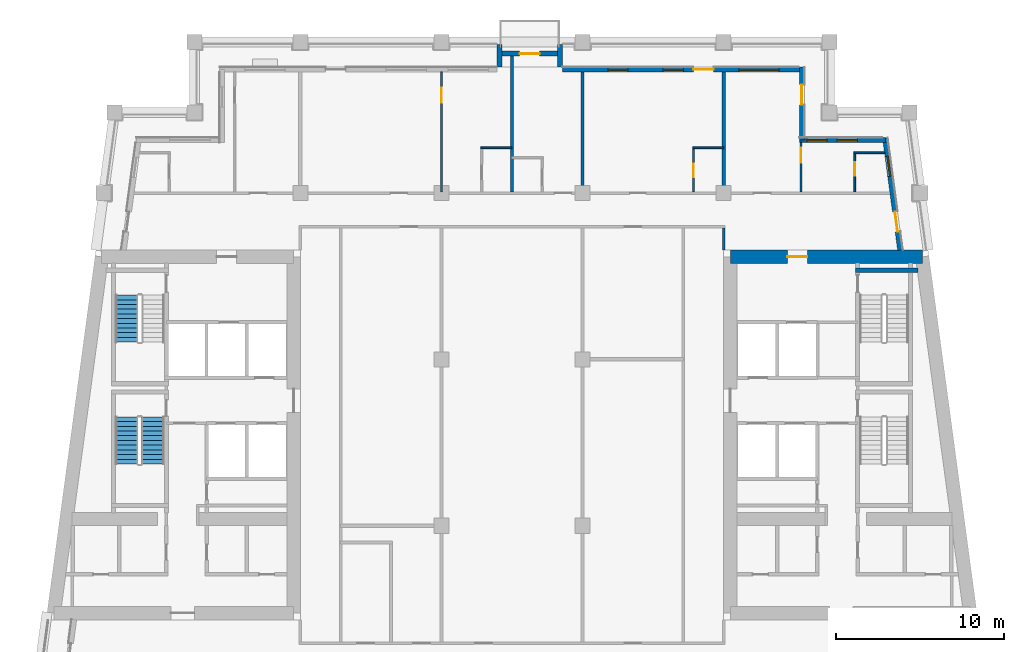
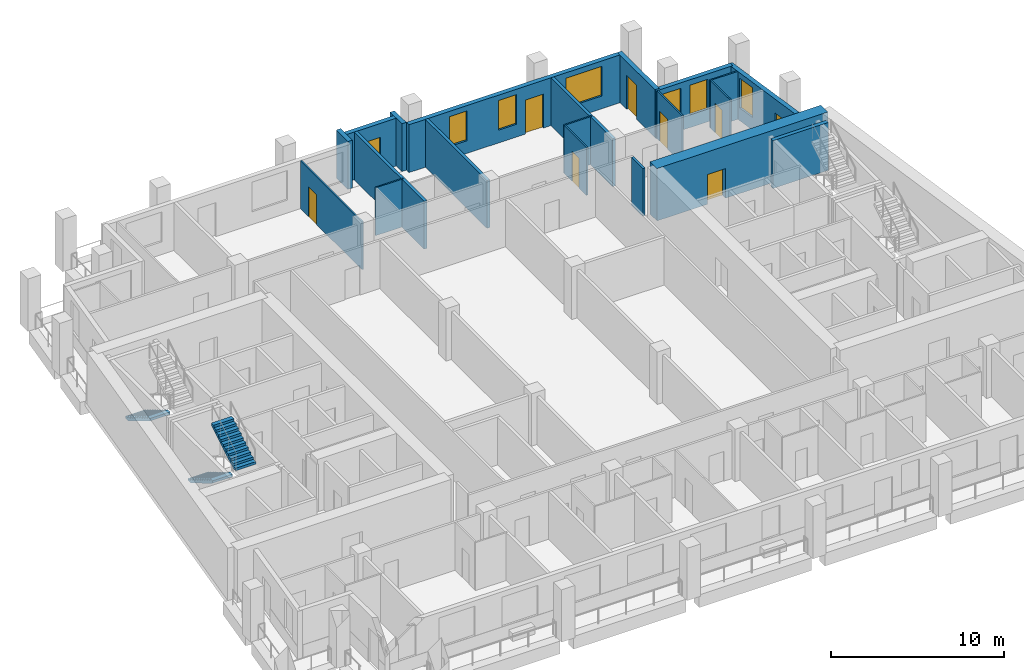
# One storey, part 7 of 13: 20 walls, 9 doors, 6 windows, 3 stair flights, 15 openings, 2 elements without a shape of their own.
"""IFC4 building model written with IfcOpenShell, lengths in metres."""

import ifcopenshell
import ifcopenshell.guid

model = None  # the IFC model being written
_history = None  # IfcOwnerHistory: only IFC2X3 demands one
_inside = {}  # id of a spatial element -> (the spatial element, [elements in it])
_under = {}  # id of a project, library or spatial element -> (it, [spatial elements below it])
_declared = {}  # id of a project -> (the project, [libraries it declares])
_typed = {}  # id of a type object -> (the type object, [elements of that type])
_made_of = {}  # id of a material, layer set ... -> (it, [elements and type objects made of it])


def new_model(schema):
    """Start an empty IFC model of exactly this schema.

    Asked for "IFC4X3", IfcOpenShell would pick the latest addendum, in which some entities
    have other attributes; the version numbers below select the first issue.
    IFC2X3 requires an IfcOwnerHistory on every rooted entity: one is made here for all.
    """
    global model, _history
    if schema == "IFC4X3":
        model = ifcopenshell.file(schema_version=(4, 3, 0, 0))
    else:
        model = ifcopenshell.file(schema=schema)
    _inside.clear()
    _under.clear()
    _declared.clear()
    _typed.clear()
    _made_of.clear()
    _history = None
    if model.schema == "IFC2X3":
        org = make("IfcOrganization", Name="unknown")
        user = make(
            "IfcPersonAndOrganization",
            ThePerson=make("IfcPerson", FamilyName="unknown"),
            TheOrganization=org,
        )
        app = make(
            "IfcApplication",
            ApplicationDeveloper=org,
            Version="unknown",
            ApplicationFullName="unknown",
            ApplicationIdentifier="unknown",
        )
        _history = make(
            "IfcOwnerHistory",
            OwningUser=user,
            OwningApplication=app,
            ChangeAction="ADDED",
            CreationDate=0,
        )
    return model


def make(cls, **values):
    """One entity of the class cls with the attributes given. An attribute that is None is left unset."""
    return model.create_entity(
        cls, **{name: value for name, value in values.items() if value is not None}
    )


def rooted(cls, **values):
    """An entity with a GlobalId (a new one), such as an element, a storey or a relation."""
    return make(cls, GlobalId=ifcopenshell.guid.new(), OwnerHistory=_history, **values)


def si_unit(unit_type, name, prefix=None):
    """IfcSIUnit, for example si_unit("LENGTHUNIT", "METRE", prefix="MILLI")."""
    return make("IfcSIUnit", UnitType=unit_type, Prefix=prefix, Name=name)


def assignment(units):
    """IfcUnitAssignment: the units of a project."""
    return None if units is None else make("IfcUnitAssignment", Units=units)


def point(xyz):
    """IfcCartesianPoint."""
    return None if xyz is None else make("IfcCartesianPoint", Coordinates=xyz)


def direction(xyz):
    """IfcDirection."""
    return None if xyz is None else make("IfcDirection", DirectionRatios=xyz)


def frame(location, z_axis=None, x_axis=None):
    """IfcAxis2Placement3D, a coordinate frame: its origin and axes. An axis left out is left unset."""
    return make(
        "IfcAxis2Placement3D",
        Location=point(location),
        Axis=direction(z_axis),
        RefDirection=direction(x_axis),
    )


def frame_2d(location, x_axis=None):
    """IfcAxis2Placement2D, a coordinate frame in the plane: its origin and x axis."""
    return make(
        "IfcAxis2Placement2D", Location=point(location), RefDirection=direction(x_axis)
    )


def origin():
    """The frame at (0, 0, 0) with its axes left unset."""
    return frame((0.0, 0.0, 0.0))


def place(relative_to, where):
    """IfcLocalPlacement: puts the frame where relative to a parent placement (None: the world)."""
    return make(
        "IfcLocalPlacement", PlacementRelTo=relative_to, RelativePlacement=where
    )


def context(
    kind, dimensions, precision=None, world=None, true_north=None, identifier=None
):
    """IfcGeometricRepresentationContext, for example the 3D "Model" context."""
    return make(
        "IfcGeometricRepresentationContext",
        ContextIdentifier=identifier,
        ContextType=kind,
        CoordinateSpaceDimension=dimensions,
        Precision=precision,
        WorldCoordinateSystem=world,
        TrueNorth=true_north,
    )


def subcontext(parent, identifier, kind, view, scale=None):
    """IfcGeometricRepresentationSubContext, for example "Body" below "Model"."""
    return make(
        "IfcGeometricRepresentationSubContext",
        ContextIdentifier=identifier,
        ContextType=kind,
        ParentContext=parent,
        TargetScale=scale,
        TargetView=view,
    )


def project(units=None, contexts=None):
    """IfcProject with its units and contexts."""
    return rooted(
        "IfcProject",
        Name="project",
        RepresentationContexts=contexts,
        UnitsInContext=assignment(units),
    )


def spatial(cls, under=None, at=None, **own):
    """A site, building, storey or space (cls), placed at a placement, below another one or the project."""
    s = rooted(cls, ObjectPlacement=at, **own)
    if under is not None:
        _under.setdefault(under.id(), (under, []))[1].append(s)
    return s


def polyline(points):
    """IfcPolyline through the points."""
    return make("IfcPolyline", Points=[point(p) for p in points])


def profile(cls, at=None, kind="AREA", **sizes):
    """A parametric profile (cls). Its sizes go by their IFC names, for example OverallWidth=200.0."""
    return make(cls, ProfileType=kind, Position=at, **sizes)


def rectangle(**sizes):
    """IfcRectangleProfileDef."""
    return profile("IfcRectangleProfileDef", **sizes)


def outline(outer, holes=None, kind="AREA"):
    """IfcArbitraryClosedProfileDef: a profile drawn as a closed curve; with holes, ...WithVoids."""
    if holes is None:
        return make("IfcArbitraryClosedProfileDef", ProfileType=kind, OuterCurve=outer)
    return make(
        "IfcArbitraryProfileDefWithVoids",
        ProfileType=kind,
        OuterCurve=outer,
        InnerCurves=holes,
    )


def extrude(swept, where, along, depth):
    """IfcExtrudedAreaSolid: the profile swept, set in the frame where, extruded along a direction by depth."""
    return make(
        "IfcExtrudedAreaSolid",
        SweptArea=swept,
        Position=where,
        ExtrudedDirection=direction(along),
        Depth=depth,
    )


def shape(context_of_items, identifier, shape_type, items):
    """IfcShapeRepresentation: the items that make up one representation, for example the "Body"."""
    return make(
        "IfcShapeRepresentation",
        ContextOfItems=context_of_items,
        RepresentationIdentifier=identifier,
        RepresentationType=shape_type,
        Items=items,
    )


def material(Name=None, Category=None):
    """IfcMaterial."""
    return make("IfcMaterial", Name=Name, Category=Category)


def layer(
    of_material, thickness, ventilated=None, Name=None, Category=None, Priority=None
):
    """IfcMaterialLayer: one layer of a wall or slab, of a material (None: an air gap)."""
    return make(
        "IfcMaterialLayer",
        Material=of_material,
        LayerThickness=thickness,
        IsVentilated=ventilated,
        Name=Name,
        Category=Category,
        Priority=Priority,
    )


def layer_set(layers, Name=None):
    """IfcMaterialLayerSet."""
    return make("IfcMaterialLayerSet", MaterialLayers=layers, LayerSetName=Name)


def made_of(thing, what):
    """Note that an element or type object is made of a material, layer set ...; save() writes the relation."""
    if what is not None:
        _made_of.setdefault(what.id(), (what, []))[1].append(thing)
    return thing


def type_object(cls, material=None, **own):
    """A type object (cls), such as IfcWallType, which elements share."""
    return made_of(rooted(cls, **own), material)


def element(
    cls,
    number,
    at=None,
    inside=None,
    cuts=None,
    type_object=None,
    material=None,
    context=None,
    identifier="Body",
    shape_type=None,
    held_by="IfcProductDefinitionShape",
    body=None,
    shapes=None,
    **own,
):
    """One element of the class cls, such as IfcWall. Its Tag is "e" and its number.

    at: its placement. inside: the storey or other place that contains it. cuts: it is an
    opening in that element (IfcRelVoidsElement). A single representation is given by context,
    identifier, shape_type and body (its items); several are given by shapes. held_by: the class
    of the entity that holds the representations. save() writes the other relations.
    """
    e = rooted(cls, Tag="e%d" % number, ObjectPlacement=at, **own)
    if body is not None:
        shapes = [shape(context, identifier, shape_type, body)]
    if shapes is not None:
        e.Representation = make(held_by, Representations=shapes)
    if inside is not None:
        _inside.setdefault(inside.id(), (inside, []))[1].append(e)
    if cuts is not None:
        rooted(
            "IfcRelVoidsElement", RelatingBuildingElement=cuts, RelatedOpeningElement=e
        )
    if type_object is not None:
        _typed.setdefault(type_object.id(), (type_object, []))[1].append(e)
    return made_of(e, material)


def fill(opening, filler):
    """IfcRelFillsElement: the door or window that sits in an opening."""
    return rooted(
        "IfcRelFillsElement",
        RelatingOpeningElement=opening,
        RelatedBuildingElement=filler,
    )


def aggregate(whole, parts):
    """IfcRelAggregates: a whole, such as a stair, and the parts it consists of."""
    return rooted("IfcRelAggregates", RelatingObject=whole, RelatedObjects=parts)


def save(model, path):
    """Write the relations noted so far, then the file.

    IfcRelAggregates (storeys below a building ...), IfcRelContainedInSpatialStructure (elements
    in a storey), IfcRelDefinesByType, IfcRelAssociatesMaterial and IfcRelDeclares: one each for
    every whole, place, type object, material and project.
    """
    for whole, parts in _under.values():
        aggregate(whole, parts)
    for where, things in _inside.values():
        rooted(
            "IfcRelContainedInSpatialStructure",
            RelatedElements=things,
            RelatingStructure=where,
        )
    for kind, things in _typed.values():
        rooted("IfcRelDefinesByType", RelatedObjects=things, RelatingType=kind)
    for what, things in _made_of.values():
        rooted("IfcRelAssociatesMaterial", RelatedObjects=things, RelatingMaterial=what)
    for by, libraries in _declared.values():
        rooted("IfcRelDeclares", RelatingContext=by, RelatedDefinitions=libraries)
    model.write(path)


model = new_model("IFC4")

# Units and contexts
model_context = context("Model", 3, precision=1e-05, world=origin(), true_north=direction((0.0, 1.0)))
body_context = subcontext(model_context, "Body", "Model", "MODEL_VIEW")
ifc_project = project(units=[si_unit("LENGTHUNIT", "METRE"), si_unit("AREAUNIT", "SQUARE_METRE"), si_unit("VOLUMEUNIT", "CUBIC_METRE"), si_unit("PLANEANGLEUNIT", "RADIAN"), si_unit("MASSUNIT", "GRAM", prefix="KILO")], contexts=[model_context])

# Site, building, storey
site_placement = place(None, origin())
site = spatial("IfcSite", under=ifc_project, at=site_placement, CompositionType="ELEMENT")
building_placement = place(site_placement, origin())
building = spatial("IfcBuilding", under=site, at=building_placement, Name="Candeia Pilgrim Tower and Theatre", CompositionType="ELEMENT")
storey_placement = place(building_placement, frame((0.0, 0.0, 220.699951171875)))
storey = spatial("IfcBuildingStorey", under=building, at=storey_placement, Name="L53", CompositionType="ELEMENT", Elevation=220.699951171875)

# Wall, opening, door
ifc_material_1 = material(Name="Concrete C50/60", Category="concrete")
ifc_layer_1 = layer(ifc_material_1, 0.800048828125)
ifc_layer_set_1 = layer_set([ifc_layer_1], Name="Core wall 800 C50/60")
wall_type_1 = type_object("IfcWallType", Name="Core wall 800 C50/60", PredefinedType="SHEAR", material=ifc_layer_set_1)
wall_1_placement = place(storey_placement, frame((126.39990234375, 132.0, 0.0), z_axis=(0.0, 0.0, 1.0), x_axis=(1.0, 0.0, 0.0)))
wall_1 = element("IfcWall", 1, at=wall_1_placement, inside=storey, type_object=wall_type_1, Name="Core wall E1", PredefinedType="SHEAR", context=body_context, shape_type="SweptSolid", body=[
    extrude(rectangle(XDim=11.419677734375, YDim=0.800048828125, at=frame_2d((5.7099609375, 0.0))), origin(), (0.0, 0.0, 1.0), 3.699951171875),
])
opening_1_placement = place(wall_1_placement, frame((3.386474609375, 0.0, 0.0)))
opening_1 = element("IfcOpeningElement", 2, at=opening_1_placement, cuts=wall_1, Name="Opening L53-D060", PredefinedType="OPENING", context=body_context, shape_type="SweptSolid", body=[
    extrude(rectangle(XDim=1.199951171875, YDim=2.10009765625, at=frame_2d((0.60009765625, 1.050048828125))), frame((0.0, 0.41015625, 0.0), z_axis=(0.0, -1.0, 0.0), x_axis=(1.0, 0.0, 0.0)), (0.0, 0.0, 1.0), 0.820068359375),
])
ifc_material_2 = material(Name="Steel fire door set", Category="steel")
door_type_1 = type_object("IfcDoorType", Name="D-1200-FD60", OperationType="NOTDEFINED", PredefinedType="DOOR", material=ifc_material_2)
door_1_placement = place(opening_1_placement, origin())
door_1 = element("IfcDoor", 3, at=door_1_placement, inside=storey, type_object=door_type_1, Name="Door L53-D060", OperationType="SINGLE_SWING_LEFT", OverallHeight=2.10009765625, OverallWidth=1.199951171875, PredefinedType="DOOR", context=body_context, shape_type="SweptSolid", body=[
    extrude(rectangle(XDim=1.199951171875, YDim=2.10009765625, at=frame_2d((0.60009765625, 1.050048828125))), frame((0.0, 0.02490234375, 0.0), z_axis=(0.0, -1.0, 0.0), x_axis=(1.0, 0.0, 0.0)), (0.0, 0.0, 1.0), 0.050048828125),
])
fill(opening_1, door_1)

# Wall, openings, door, window
ifc_material_3 = material(Name="Ceramic block masonry", Category="masonry")
ifc_layer_2 = layer(ifc_material_3, 0.300048828125)
ifc_layer_set_2 = layer_set([ifc_layer_2], Name="EW1 glazing-line wall 300")
wall_type_2 = type_object("IfcWallType", Name="EW1 glazing-line wall 300", PredefinedType="SOLIDWALL", material=ifc_layer_set_2)
wall_2_placement = place(storey_placement, frame((136.50439453125, 132.39990234375, 0.0), z_axis=(0.0, 0.0, 1.0), x_axis=(-0.133399697462, 0.99106231929, 0.0)))
wall_2 = element("IfcWall", 4, at=wall_2_placement, inside=storey, type_object=wall_type_2, Name="External wall L53-3.1", PredefinedType="SOLIDWALL", context=body_context, shape_type="SweptSolid", body=[
    extrude(rectangle(XDim=6.740478515625, YDim=0.300048828125, at=frame_2d((3.3701171875, 0.0))), origin(), (0.0, 0.0, 1.0), 3.380126953125),
])
opening_2_placement = place(wall_2_placement, frame((1.115234375, 0.0, 0.0)))
opening_2 = element("IfcOpeningElement", 5, at=opening_2_placement, cuts=wall_2, Name="Opening L53-ED507", PredefinedType="OPENING", context=body_context, shape_type="SweptSolid", body=[
    extrude(rectangle(XDim=1.199951171875, YDim=2.39990234375, at=frame_2d((0.60009765625, 1.199951171875))), frame((0.0, 0.16015625, 0.0), z_axis=(0.0, -1.0, 0.0), x_axis=(1.0, 0.0, 0.0)), (0.0, 0.0, 1.0), 0.320068359375),
])
opening_3_placement = place(wall_2_placement, frame((4.435546875, 0.0, 0.89990234375)))
opening_3 = element("IfcOpeningElement", 6, at=opening_3_placement, cuts=wall_2, Name="Opening W-B", PredefinedType="OPENING", context=body_context, shape_type="SweptSolid", body=[
    extrude(rectangle(XDim=1.199951171875, YDim=2.10009765625, at=frame_2d((0.60009765625, 1.050048828125))), frame((0.0, 0.16015625, 0.0), z_axis=(0.0, -1.0, 0.0), x_axis=(1.0, 0.0, 0.0)), (0.0, 0.0, 1.0), 0.320068359375),
])
ifc_material_4 = material(Name="Aluminium framed glazed door", Category="aluminium")
door_type_2 = type_object("IfcDoorType", Name="Loggia door 1200x2400", OperationType="DOUBLE_DOOR_SINGLE_SWING", PredefinedType="DOOR", material=ifc_material_4)
door_2_placement = place(opening_2_placement, origin())
door_2 = element("IfcDoor", 7, at=door_2_placement, inside=storey, type_object=door_type_2, Name="Loggia door L53-ED507", OperationType="DOUBLE_DOOR_SINGLE_SWING", OverallHeight=2.39990234375, OverallWidth=1.199951171875, PredefinedType="DOOR", context=body_context, shape_type="SweptSolid", body=[
    extrude(rectangle(XDim=1.199951171875, YDim=2.39990234375, at=frame_2d((0.60009765625, 1.199951171875))), frame((0.0, 0.02490234375, 0.0), z_axis=(0.0, -1.0, 0.0), x_axis=(1.0, 0.0, 0.0)), (0.0, 0.0, 1.0), 0.050048828125),
])
fill(opening_2, door_2)
ifc_material_5 = material(Name="Aluminium framed double glazing", Category="aluminium")
window_type_1 = type_object("IfcWindowType", Name="W-B window 1200x2100", PartitioningType="SINGLE_PANEL", PredefinedType="WINDOW", material=ifc_material_5)
window_1_placement = place(opening_3_placement, origin())
window_1 = element("IfcWindow", 8, at=window_1_placement, inside=storey, type_object=window_type_1, Name="Window W-B L53", OverallHeight=2.10009765625, OverallWidth=1.199951171875, PartitioningType="SINGLE_PANEL", PredefinedType="WINDOW", context=body_context, shape_type="SweptSolid", body=[
    extrude(rectangle(XDim=1.199951171875, YDim=2.10009765625, at=frame_2d((0.60009765625, 1.050048828125))), frame((0.0, 0.030029296875, 0.0), z_axis=(0.0, -1.0, 0.0), x_axis=(1.0, 0.0, 0.0)), (0.0, 0.0, 1.0), 0.06005859375),
])
fill(opening_3, window_1)

# Wall, openings, windows
wall_3_placement = place(storey_placement, frame((135.62255859375, 138.949951171875, 0.0), z_axis=(0.0, 0.0, 1.0), x_axis=(-1.0, 0.0, 0.0)))
wall_3 = element("IfcWall", 9, at=wall_3_placement, inside=storey, type_object=wall_type_2, Name="External wall L53-4.0", PredefinedType="SOLIDWALL", context=body_context, shape_type="SweptSolid", body=[
    extrude(rectangle(XDim=5.12255859375, YDim=0.300048828125, at=frame_2d((2.561279296875, 0.0))), origin(), (0.0, 0.0, 1.0), 3.380126953125),
])
opening_4_placement = place(wall_3_placement, frame((1.672607421875, 0.0, 0.89990234375)))
opening_4 = element("IfcOpeningElement", 10, at=opening_4_placement, cuts=wall_3, Name="Opening W-B", PredefinedType="OPENING", context=body_context, shape_type="SweptSolid", body=[
    extrude(rectangle(XDim=1.199951171875, YDim=2.10009765625, at=frame_2d((0.60009765625, 1.050048828125))), frame((0.0, 0.16015625, 0.0), z_axis=(0.0, -1.0, 0.0), x_axis=(1.0, 0.0, 0.0)), (0.0, 0.0, 1.0), 0.320068359375),
])
opening_5_placement = place(wall_3_placement, frame((3.47265625, 0.0, 0.89990234375)))
opening_5 = element("IfcOpeningElement", 11, at=opening_5_placement, cuts=wall_3, Name="Opening W-B", PredefinedType="OPENING", context=body_context, shape_type="SweptSolid", body=[
    extrude(rectangle(XDim=1.199951171875, YDim=2.10009765625, at=frame_2d((0.60009765625, 1.050048828125))), frame((0.0, 0.16015625, 0.0), z_axis=(0.0, -1.0, 0.0), x_axis=(1.0, 0.0, 0.0)), (0.0, 0.0, 1.0), 0.320068359375),
])
window_2_placement = place(opening_4_placement, origin())
window_2 = element("IfcWindow", 12, at=window_2_placement, inside=storey, type_object=window_type_1, Name="Window W-B L53", OverallHeight=2.10009765625, OverallWidth=1.199951171875, PartitioningType="SINGLE_PANEL", PredefinedType="WINDOW", context=body_context, shape_type="SweptSolid", body=[
    extrude(rectangle(XDim=1.199951171875, YDim=2.10009765625, at=frame_2d((0.60009765625, 1.050048828125))), frame((0.0, 0.030029296875, 0.0), z_axis=(0.0, -1.0, 0.0), x_axis=(1.0, 0.0, 0.0)), (0.0, 0.0, 1.0), 0.06005859375),
])
fill(opening_4, window_2)
window_3_placement = place(opening_5_placement, origin())
window_3 = element("IfcWindow", 13, at=window_3_placement, inside=storey, type_object=window_type_1, Name="Window W-B L53", OverallHeight=2.10009765625, OverallWidth=1.199951171875, PartitioningType="SINGLE_PANEL", PredefinedType="WINDOW", context=body_context, shape_type="SweptSolid", body=[
    extrude(rectangle(XDim=1.199951171875, YDim=2.10009765625, at=frame_2d((0.60009765625, 1.050048828125))), frame((0.0, 0.030029296875, 0.0), z_axis=(0.0, -1.0, 0.0), x_axis=(1.0, 0.0, 0.0)), (0.0, 0.0, 1.0), 0.06005859375),
])
fill(opening_5, window_3)

# Wall, opening, door
wall_4_placement = place(storey_placement, frame((130.64990234375, 138.949951171875, 0.0), z_axis=(0.0, 0.0, 1.0), x_axis=(0.0, 1.0, 0.0)))
wall_4 = element("IfcWall", 14, at=wall_4_placement, inside=storey, type_object=wall_type_2, Name="External wall L53-5.0", PredefinedType="SOLIDWALL", context=body_context, shape_type="SweptSolid", body=[
    extrude(rectangle(XDim=4.35009765625, YDim=0.300048828125, at=frame_2d((2.175048828125, 0.0))), origin(), (0.0, 0.0, 1.0), 3.380126953125),
])
opening_6_placement = place(wall_4_placement, frame((2.10009765625, 0.0, 0.0)))
opening_6 = element("IfcOpeningElement", 15, at=opening_6_placement, cuts=wall_4, Name="Opening L53-ED508", PredefinedType="OPENING", context=body_context, shape_type="SweptSolid", body=[
    extrude(rectangle(XDim=1.199951171875, YDim=2.39990234375, at=frame_2d((0.60009765625, 1.199951171875))), frame((0.0, 0.16015625, 0.0), z_axis=(0.0, -1.0, 0.0), x_axis=(1.0, 0.0, 0.0)), (0.0, 0.0, 1.0), 0.320068359375),
])
door_3_placement = place(opening_6_placement, origin())
door_3 = element("IfcDoor", 16, at=door_3_placement, inside=storey, type_object=door_type_2, Name="Loggia door L53-ED508", OperationType="DOUBLE_DOOR_SINGLE_SWING", OverallHeight=2.39990234375, OverallWidth=1.199951171875, PredefinedType="DOOR", context=body_context, shape_type="SweptSolid", body=[
    extrude(rectangle(XDim=1.199951171875, YDim=2.39990234375, at=frame_2d((0.60009765625, 1.199951171875))), frame((0.0, 0.02490234375, 0.0), z_axis=(0.0, -1.0, 0.0), x_axis=(1.0, 0.0, 0.0)), (0.0, 0.0, 1.0), 0.050048828125),
])
fill(opening_6, door_3)

# Wall, openings, door, windows
wall_5_placement = place(storey_placement, frame((130.64990234375, 143.14990234375, 0.0), z_axis=(0.0, 0.0, 1.0), x_axis=(-1.0, 0.0, 0.0)))
wall_5 = element("IfcWall", 17, at=wall_5_placement, inside=storey, type_object=wall_type_2, Name="External wall L53-6.0", PredefinedType="SOLIDWALL", context=body_context, shape_type="SweptSolid", body=[
    extrude(rectangle(XDim=14.25, YDim=0.300048828125, at=frame_2d((7.125, 0.0))), origin(), (0.0, 0.0, 1.0), 3.380126953125),
])
opening_7_placement = place(wall_5_placement, frame((1.35009765625, 0.0, 0.89990234375)))
opening_7 = element("IfcOpeningElement", 18, at=opening_7_placement, cuts=wall_5, Name="Opening W-A", PredefinedType="OPENING", context=body_context, shape_type="SweptSolid", body=[
    extrude(rectangle(XDim=2.39990234375, YDim=2.10009765625, at=frame_2d((1.199951171875, 1.050048828125))), frame((0.0, 0.16015625, 0.0), z_axis=(0.0, -1.0, 0.0), x_axis=(1.0, 0.0, 0.0)), (0.0, 0.0, 1.0), 0.320068359375),
])
opening_8_placement = place(wall_5_placement, frame((5.25, 0.0, 0.0)))
opening_8 = element("IfcOpeningElement", 19, at=opening_8_placement, cuts=wall_5, Name="Opening L53-ED509", PredefinedType="OPENING", context=body_context, shape_type="SweptSolid", body=[
    extrude(rectangle(XDim=1.199951171875, YDim=2.39990234375, at=frame_2d((0.60009765625, 1.199951171875))), frame((0.0, 0.16015625, 0.0), z_axis=(0.0, -1.0, 0.0), x_axis=(1.0, 0.0, 0.0)), (0.0, 0.0, 1.0), 0.320068359375),
])
opening_9_placement = place(wall_5_placement, frame((7.050048828125, 0.0, 0.89990234375)))
opening_9 = element("IfcOpeningElement", 20, at=opening_9_placement, cuts=wall_5, Name="Opening W-B", PredefinedType="OPENING", context=body_context, shape_type="SweptSolid", body=[
    extrude(rectangle(XDim=1.199951171875, YDim=2.10009765625, at=frame_2d((0.60009765625, 1.050048828125))), frame((0.0, 0.16015625, 0.0), z_axis=(0.0, -1.0, 0.0), x_axis=(1.0, 0.0, 0.0)), (0.0, 0.0, 1.0), 0.320068359375),
])
opening_10_placement = place(wall_5_placement, frame((10.35009765625, 0.0, 0.89990234375)))
opening_10 = element("IfcOpeningElement", 21, at=opening_10_placement, cuts=wall_5, Name="Opening W-B", PredefinedType="OPENING", context=body_context, shape_type="SweptSolid", body=[
    extrude(rectangle(XDim=1.199951171875, YDim=2.10009765625, at=frame_2d((0.60009765625, 1.050048828125))), frame((0.0, 0.16015625, 0.0), z_axis=(0.0, -1.0, 0.0), x_axis=(1.0, 0.0, 0.0)), (0.0, 0.0, 1.0), 0.320068359375),
])
door_4_placement = place(opening_8_placement, origin())
door_4 = element("IfcDoor", 22, at=door_4_placement, inside=storey, type_object=door_type_2, Name="Loggia door L53-ED509", OperationType="DOUBLE_DOOR_SINGLE_SWING", OverallHeight=2.39990234375, OverallWidth=1.199951171875, PredefinedType="DOOR", context=body_context, shape_type="SweptSolid", body=[
    extrude(rectangle(XDim=1.199951171875, YDim=2.39990234375, at=frame_2d((0.60009765625, 1.199951171875))), frame((0.0, 0.02490234375, 0.0), z_axis=(0.0, -1.0, 0.0), x_axis=(1.0, 0.0, 0.0)), (0.0, 0.0, 1.0), 0.050048828125),
])
fill(opening_8, door_4)
window_type_2 = type_object("IfcWindowType", Name="W-A window 2400x2100", PartitioningType="DOUBLE_PANEL_VERTICAL", PredefinedType="WINDOW", material=ifc_material_5)
window_4_placement = place(opening_7_placement, origin())
window_4 = element("IfcWindow", 23, at=window_4_placement, inside=storey, type_object=window_type_2, Name="Window W-A L53", OverallHeight=2.10009765625, OverallWidth=2.39990234375, PartitioningType="SINGLE_PANEL", PredefinedType="WINDOW", context=body_context, shape_type="SweptSolid", body=[
    extrude(rectangle(XDim=2.39990234375, YDim=2.10009765625, at=frame_2d((1.199951171875, 1.050048828125))), frame((0.0, 0.030029296875, 0.0), z_axis=(0.0, -1.0, 0.0), x_axis=(1.0, 0.0, 0.0)), (0.0, 0.0, 1.0), 0.06005859375),
])
fill(opening_7, window_4)
window_5_placement = place(opening_9_placement, origin())
window_5 = element("IfcWindow", 24, at=window_5_placement, inside=storey, type_object=window_type_1, Name="Window W-B L53", OverallHeight=2.10009765625, OverallWidth=1.199951171875, PartitioningType="SINGLE_PANEL", PredefinedType="WINDOW", context=body_context, shape_type="SweptSolid", body=[
    extrude(rectangle(XDim=1.199951171875, YDim=2.10009765625, at=frame_2d((0.60009765625, 1.050048828125))), frame((0.0, 0.030029296875, 0.0), z_axis=(0.0, -1.0, 0.0), x_axis=(1.0, 0.0, 0.0)), (0.0, 0.0, 1.0), 0.06005859375),
])
fill(opening_9, window_5)
window_6_placement = place(opening_10_placement, origin())
window_6 = element("IfcWindow", 25, at=window_6_placement, inside=storey, type_object=window_type_1, Name="Window W-B L53", OverallHeight=2.10009765625, OverallWidth=1.199951171875, PartitioningType="SINGLE_PANEL", PredefinedType="WINDOW", context=body_context, shape_type="SweptSolid", body=[
    extrude(rectangle(XDim=1.199951171875, YDim=2.10009765625, at=frame_2d((0.60009765625, 1.050048828125))), frame((0.0, 0.030029296875, 0.0), z_axis=(0.0, -1.0, 0.0), x_axis=(1.0, 0.0, 0.0)), (0.0, 0.0, 1.0), 0.06005859375),
])
fill(opening_10, window_6)

# Walls
ifc_layer_3 = layer(ifc_material_3, 0.300048828125)
ifc_layer_set_3 = layer_set([ifc_layer_3], Name="EW2 entrance infill wall 300")
wall_type_3 = type_object("IfcWallType", Name="EW2 entrance infill wall 300", PredefinedType="SOLIDWALL", material=ifc_layer_set_3)
for number, where, z_axis, x_axis, name in (
    (26, (116.25, 143.300048828125, 0.0), (0.0, 0.0, 1.0), (0.0, 1.0, 0.0), "Alcove wall L53"),
    (27, (112.64990234375, 143.300048828125, 0.0), (0.0, 0.0, 1.0), (0.0, 1.0, 0.0), "Alcove wall L53"),
):
    element("IfcWall", number, at=place(storey_placement, frame(where, z_axis=z_axis, x_axis=x_axis)), inside=storey, type_object=wall_type_3, Name=name, PredefinedType="SOLIDWALL", context=body_context, shape_type="SweptSolid", body=[
        extrude(rectangle(XDim=1.349853515625, YDim=0.300048828125, at=frame_2d((0.6748046875, 0.0))), origin(), (0.0, 0.0, 1.0), 3.380126953125),
    ])

# Wall, opening, door
wall_6_placement = place(storey_placement, frame((116.39990234375, 144.10009765625, 0.0), z_axis=(0.0, 0.0, 1.0), x_axis=(-1.0, 0.0, 0.0)))
wall_6 = element("IfcWall", 28, at=wall_6_placement, inside=storey, type_object=wall_type_3, Name="Alcove wall L53", PredefinedType="SOLIDWALL", context=body_context, shape_type="SweptSolid", body=[
    extrude(rectangle(XDim=3.89990234375, YDim=0.300048828125, at=frame_2d((1.949951171875, 0.0))), origin(), (0.0, 0.0, 1.0), 3.380126953125),
])
opening_11_placement = place(wall_6_placement, frame((1.35009765625, 0.0, 0.0)))
opening_11 = element("IfcOpeningElement", 29, at=opening_11_placement, cuts=wall_6, Name="Opening L53-ED511", PredefinedType="OPENING", context=body_context, shape_type="SweptSolid", body=[
    extrude(rectangle(XDim=1.199951171875, YDim=2.39990234375, at=frame_2d((0.60009765625, 1.199951171875))), frame((0.0, 0.16015625, 0.0), z_axis=(0.0, -1.0, 0.0), x_axis=(1.0, 0.0, 0.0)), (0.0, 0.0, 1.0), 0.320068359375),
])
door_5_placement = place(opening_11_placement, origin())
door_5 = element("IfcDoor", 30, at=door_5_placement, inside=storey, type_object=door_type_2, Name="Balcony door L53-ED511", OperationType="DOUBLE_DOOR_SINGLE_SWING", OverallHeight=2.39990234375, OverallWidth=1.199951171875, PredefinedType="DOOR", context=body_context, shape_type="SweptSolid", body=[
    extrude(rectangle(XDim=1.199951171875, YDim=2.39990234375, at=frame_2d((0.60009765625, 1.199951171875))), frame((0.0, 0.02490234375, 0.0), z_axis=(0.0, -1.0, 0.0), x_axis=(1.0, 0.0, 0.0)), (0.0, 0.0, 1.0), 0.050048828125),
])
fill(opening_11, door_5)

# Walls
ifc_material_6 = material(Name="Gypsum board partition on steel studs", Category="steel")
ifc_layer_4 = layer(ifc_material_6, 0.10009765625)
ifc_layer_set_4 = layer_set([ifc_layer_4], Name="PW-100 room partition")
wall_type_4 = type_object("IfcWallType", Name="PW-100 room partition", PredefinedType="PARTITIONING", material=ifc_layer_set_4)
wall_7_placement = place(storey_placement, frame((133.75, 138.199951171875, 0.0), z_axis=(0.0, 0.0, 1.0), x_axis=(1.0, 0.0, 0.0)))
element("IfcWall", 31, at=wall_7_placement, inside=storey, type_object=wall_type_4, Name="Room partition L53-047", PredefinedType="PARTITIONING", context=body_context, shape_type="SweptSolid", body=[
    extrude(rectangle(XDim=1.832275390625, YDim=0.10009765625, at=frame_2d((0.916015625, 0.0))), origin(), (0.0, 0.0, 1.0), 3.380126953125),
])
wall_8_placement = place(storey_placement, frame((111.550048828125, 138.5, 0.0), z_axis=(0.0, 0.0, 1.0), x_axis=(1.0, 0.0, 0.0)))
element("IfcWall", 32, at=wall_8_placement, inside=storey, type_object=wall_type_4, Name="Room partition L53-048", PredefinedType="PARTITIONING", context=body_context, shape_type="SweptSolid", body=[
    extrude(rectangle(XDim=1.849853515625, YDim=0.10009765625, at=frame_2d((0.9248046875, 0.0))), origin(), (0.0, 0.0, 1.0), 3.380126953125),
])
wall_9_placement = place(storey_placement, frame((124.14990234375, 138.5, 0.0), z_axis=(0.0, 0.0, 1.0), x_axis=(1.0, 0.0, 0.0)))
element("IfcWall", 33, at=wall_9_placement, inside=storey, type_object=wall_type_4, Name="Room partition L53-049", PredefinedType="PARTITIONING", context=body_context, shape_type="SweptSolid", body=[
    extrude(rectangle(XDim=1.85009765625, YDim=0.10009765625, at=frame_2d((0.925048828125, 0.0))), origin(), (0.0, 0.0, 1.0), 3.380126953125),
])

# Wall, opening, door
wall_10_placement = place(storey_placement, frame((109.199951171875, 135.875, 0.0), z_axis=(0.0, 0.0, 1.0), x_axis=(0.0, 1.0, 0.0)))
wall_10 = element("IfcWall", 34, at=wall_10_placement, inside=storey, type_object=wall_type_4, Name="Room partition L53-080", PredefinedType="PARTITIONING", context=body_context, shape_type="SweptSolid", body=[
    extrude(rectangle(XDim=7.135009765625, YDim=0.10009765625, at=frame_2d((3.5673828125, 0.0))), origin(), (0.0, 0.0, 1.0), 3.380126953125),
])
opening_12_placement = place(wall_10_placement, frame((5.2900390625, 0.0, 0.0)))
opening_12 = element("IfcOpeningElement", 35, at=opening_12_placement, cuts=wall_10, Name="Opening L53-D041", PredefinedType="OPENING", context=body_context, shape_type="SweptSolid", body=[
    extrude(rectangle(XDim=0.89990234375, YDim=2.10009765625, at=frame_2d((0.449951171875, 1.050048828125))), frame((0.0, 0.06005859375, 0.0), z_axis=(0.0, -1.0, 0.0), x_axis=(1.0, 0.0, 0.0)), (0.0, 0.0, 1.0), 0.1201171875),
])
ifc_material_7 = material(Name="Timber door leaf", Category="wood")
door_type_3 = type_object("IfcDoorType", Name="D-900", OperationType="NOTDEFINED", PredefinedType="DOOR", material=ifc_material_7)
door_6_placement = place(opening_12_placement, origin())
door_6 = element("IfcDoor", 36, at=door_6_placement, inside=storey, type_object=door_type_3, Name="Door L53-D041", OperationType="SINGLE_SWING_RIGHT", OverallHeight=2.10009765625, OverallWidth=0.89990234375, PredefinedType="DOOR", context=body_context, shape_type="SweptSolid", body=[
    extrude(rectangle(XDim=0.89990234375, YDim=2.10009765625, at=frame_2d((0.449951171875, 1.050048828125))), frame((0.0, 0.02490234375, 0.0), z_axis=(0.0, -1.0, 0.0), x_axis=(1.0, 0.0, 0.0)), (0.0, 0.0, 1.0), 0.050048828125),
])
fill(opening_12, door_6)

wall_11_placement = place(storey_placement, frame((124.199951171875, 135.875, 0.0), z_axis=(0.0, 0.0, 1.0), x_axis=(0.0, 1.0, 0.0)))
wall_11 = element("IfcWall", 37, at=wall_11_placement, inside=storey, type_object=wall_type_4, Name="Room partition L53-095", PredefinedType="PARTITIONING", context=body_context, shape_type="SweptSolid", body=[
    extrude(rectangle(XDim=2.574951171875, YDim=0.10009765625, at=frame_2d((1.28759765625, 0.0))), origin(), (0.0, 0.0, 1.0), 3.380126953125),
])
opening_13_placement = place(wall_11_placement, frame((0.875, 0.0, 0.0)))
opening_13 = element("IfcOpeningElement", 38, at=opening_13_placement, cuts=wall_11, Name="Opening L53-D046", PredefinedType="OPENING", context=body_context, shape_type="SweptSolid", body=[
    extrude(rectangle(XDim=0.800048828125, YDim=2.10009765625, at=frame_2d((0.39990234375, 1.050048828125))), frame((0.0, 0.06005859375, 0.0), z_axis=(0.0, -1.0, 0.0), x_axis=(1.0, 0.0, 0.0)), (0.0, 0.0, 1.0), 0.1201171875),
])
door_type_4 = type_object("IfcDoorType", Name="D-800", OperationType="NOTDEFINED", PredefinedType="DOOR", material=ifc_material_7)
door_7_placement = place(opening_13_placement, origin())
door_7 = element("IfcDoor", 39, at=door_7_placement, inside=storey, type_object=door_type_4, Name="Door L53-D046", OperationType="SINGLE_SWING_LEFT", OverallHeight=2.10009765625, OverallWidth=0.800048828125, PredefinedType="DOOR", context=body_context, shape_type="SweptSolid", body=[
    extrude(rectangle(XDim=0.800048828125, YDim=2.10009765625, at=frame_2d((0.39990234375, 1.050048828125))), frame((0.0, 0.02490234375, 0.0), z_axis=(0.0, -1.0, 0.0), x_axis=(1.0, 0.0, 0.0)), (0.0, 0.0, 1.0), 0.050048828125),
])
fill(opening_13, door_7)

wall_12_placement = place(storey_placement, frame((130.60009765625, 135.875, 0.0), z_axis=(0.0, 0.0, 1.0), x_axis=(0.0, 1.0, 0.0)))
wall_12 = element("IfcWall", 40, at=wall_12_placement, inside=storey, type_object=wall_type_4, Name="Room partition L53-105", PredefinedType="PARTITIONING", context=body_context, shape_type="SweptSolid", body=[
    extrude(rectangle(XDim=2.93505859375, YDim=0.10009765625, at=frame_2d((1.467529296875, 0.0))), origin(), (0.0, 0.0, 1.0), 3.380126953125),
])
opening_14_placement = place(wall_12_placement, frame((1.719970703125, 0.0, 0.0)))
opening_14 = element("IfcOpeningElement", 41, at=opening_14_placement, cuts=wall_12, Name="Opening L53-D048", PredefinedType="OPENING", context=body_context, shape_type="SweptSolid", body=[
    extrude(rectangle(XDim=0.89990234375, YDim=2.10009765625, at=frame_2d((0.449951171875, 1.050048828125))), frame((0.0, 0.06005859375, 0.0), z_axis=(0.0, -1.0, 0.0), x_axis=(1.0, 0.0, 0.0)), (0.0, 0.0, 1.0), 0.1201171875),
])
door_8_placement = place(opening_14_placement, origin())
door_8 = element("IfcDoor", 42, at=door_8_placement, inside=storey, type_object=door_type_3, Name="Door L53-D048", OperationType="SINGLE_SWING_LEFT", OverallHeight=2.10009765625, OverallWidth=0.89990234375, PredefinedType="DOOR", context=body_context, shape_type="SweptSolid", body=[
    extrude(rectangle(XDim=0.89990234375, YDim=2.10009765625, at=frame_2d((0.449951171875, 1.050048828125))), frame((0.0, 0.02490234375, 0.0), z_axis=(0.0, -1.0, 0.0), x_axis=(1.0, 0.0, 0.0)), (0.0, 0.0, 1.0), 0.050048828125),
])
fill(opening_14, door_8)

wall_13_placement = place(storey_placement, frame((133.800048828125, 135.875, 0.0), z_axis=(0.0, 0.0, 1.0), x_axis=(0.0, 1.0, 0.0)))
wall_13 = element("IfcWall", 43, at=wall_13_placement, inside=storey, type_object=wall_type_4, Name="Room partition L53-111", PredefinedType="PARTITIONING", context=body_context, shape_type="SweptSolid", body=[
    extrude(rectangle(XDim=2.27490234375, YDim=0.10009765625, at=frame_2d((1.137451171875, 0.0))), origin(), (0.0, 0.0, 1.0), 3.380126953125),
])
opening_15_placement = place(wall_13_placement, frame((0.949951171875, 0.0, 0.0)))
opening_15 = element("IfcOpeningElement", 44, at=opening_15_placement, cuts=wall_13, Name="Opening L53-D049", PredefinedType="OPENING", context=body_context, shape_type="SweptSolid", body=[
    extrude(rectangle(XDim=0.800048828125, YDim=2.10009765625, at=frame_2d((0.39990234375, 1.050048828125))), frame((0.0, 0.06005859375, 0.0), z_axis=(0.0, -1.0, 0.0), x_axis=(1.0, 0.0, 0.0)), (0.0, 0.0, 1.0), 0.1201171875),
])
door_9_placement = place(opening_15_placement, origin())
door_9 = element("IfcDoor", 45, at=door_9_placement, inside=storey, type_object=door_type_4, Name="Door L53-D049", OperationType="SINGLE_SWING_RIGHT", OverallHeight=2.10009765625, OverallWidth=0.800048828125, PredefinedType="DOOR", context=body_context, shape_type="SweptSolid", body=[
    extrude(rectangle(XDim=0.800048828125, YDim=2.10009765625, at=frame_2d((0.39990234375, 1.050048828125))), frame((0.0, 0.02490234375, 0.0), z_axis=(0.0, -1.0, 0.0), x_axis=(1.0, 0.0, 0.0)), (0.0, 0.0, 1.0), 0.050048828125),
])
fill(opening_15, door_9)

# Walls
ifc_layer_5 = layer(ifc_material_6, 0.14990234375)
ifc_layer_set_5 = layer_set([ifc_layer_5], Name="PW-150 unit wall")
wall_type_5 = type_object("IfcWallType", Name="PW-150 unit wall", PredefinedType="PARTITIONING", material=ifc_layer_set_5)
wall_14_placement = place(storey_placement, frame((126.0, 132.39990234375, 0.0), z_axis=(0.0, 0.0, 1.0), x_axis=(0.0, 1.0, 0.0)))
element("IfcWall", 46, at=wall_14_placement, inside=storey, type_object=wall_type_5, Name="Unit wall L53-099", PredefinedType="PARTITIONING", context=body_context, shape_type="SweptSolid", body=[
    extrude(rectangle(XDim=1.3251953125, YDim=0.14990234375, at=frame_2d((0.66259765625, 0.0))), origin(), (0.0, 0.0, 1.0), 3.380126953125),
])
ifc_layer_6 = layer(ifc_material_6, 0.199951171875)
ifc_layer_set_6 = layer_set([ifc_layer_6], Name="PW-200 party wall")
wall_type_6 = type_object("IfcWallType", Name="PW-200 party wall", PredefinedType="PARTITIONING", material=ifc_layer_set_6)
wall_15_placement = place(storey_placement, frame((113.39990234375, 135.875, 0.0), z_axis=(0.0, 0.0, 1.0), x_axis=(0.0, 1.0, 0.0)))
element("IfcWall", 47, at=wall_15_placement, inside=storey, type_object=wall_type_6, Name="Party wall L53-086", PredefinedType="PARTITIONING", context=body_context, shape_type="SweptSolid", body=[
    extrude(rectangle(XDim=8.0849609375, YDim=0.199951171875, at=frame_2d((4.04248046875, 0.0))), origin(), (0.0, 0.0, 1.0), 3.380126953125),
])
for number, where, z_axis, x_axis, name in (
    (48, (117.60009765625, 135.875, 0.0), (0.0, 0.0, 1.0), (0.0, 1.0, 0.0), "Party wall L53-090"),
    (49, (126.0, 135.875, 0.0), (0.0, 0.0, 1.0), (0.0, 1.0, 0.0), "Party wall L53-097"),
):
    element("IfcWall", number, at=place(storey_placement, frame(where, z_axis=z_axis, x_axis=x_axis)), inside=storey, type_object=wall_type_6, Name=name, PredefinedType="PARTITIONING", context=body_context, shape_type="SweptSolid", body=[
        extrude(rectangle(XDim=7.135009765625, YDim=0.199951171875, at=frame_2d((3.5673828125, 0.0))), origin(), (0.0, 0.0, 1.0), 3.380126953125),
    ])
ifc_material_8 = material(Name="Concrete C40/50", Category="concrete")
ifc_layer_7 = layer(ifc_material_8, 0.25)
ifc_layer_set_7 = layer_set([ifc_layer_7], Name="SW-250 stair wall")
wall_type_7 = type_object("IfcWallType", Name="SW-250 stair wall", PredefinedType="PARTITIONING", material=ifc_layer_set_7)
wall_16_placement = place(storey_placement, frame((133.847900390625, 131.199951171875, 0.0), z_axis=(0.0, 0.0, 1.0), x_axis=(1.0, 0.0, 0.0)))
element("IfcWall", 50, at=wall_16_placement, inside=storey, type_object=wall_type_7, Name="Stair wall L53-042", PredefinedType="PARTITIONING", context=body_context, shape_type="SweptSolid", body=[
    extrude(rectangle(XDim=3.705810546875, YDim=0.25, at=frame_2d((1.85302734375, 0.0))), origin(), (0.0, 0.0, 1.0), 3.380126953125),
])

# Stair, stair flights
stair_type = type_object("IfcStairType", Name="ST-TWR dog-leg escape stair", PredefinedType="HALF_TURN_STAIR", material=ifc_material_8)
stair_1_placement = place(storey_placement, origin())
stair_1 = element("IfcStair", 51, at=stair_1_placement, inside=storey, type_object=stair_type, Name="L53 Escape stair ST1", PredefinedType="HALF_TURN_STAIR")
stair_flight_type = type_object("IfcStairFlightType", Name="SFL-RC stair flight", PredefinedType="STRAIGHT", material=ifc_material_8)
stair_flight_1_placement = place(storey_placement, frame((90.47705078125, 122.47509765625, 0.0), z_axis=(0.0, 0.0, 1.0), x_axis=(0.0, -1.0, 0.0)))
stair_flight_1 = element("IfcStairFlight", 52, at=stair_flight_1_placement, type_object=stair_flight_type, Name="ST1 flight 1", NumberOfRisers=11, NumberOfTreads=10, PredefinedType="STRAIGHT", RiserHeight=0.168181818, TreadLength=0.28, context=body_context, shape_type="SweptSolid", body=[
    extrude(outline(polyline([(0.0, 0.0), (0.0, 0.168212890625), (0.280029296875, 0.168212890625), (0.280029296875, 0.33642578125), (0.56005859375, 0.33642578125), (0.56005859375, 0.504638671875), (0.840087890625, 0.504638671875), (0.840087890625, 0.672607421875), (1.1201171875, 0.672607421875), (1.1201171875, 0.8408203125), (1.39990234375, 0.8408203125), (1.39990234375, 1.009033203125), (1.679931640625, 1.009033203125), (1.679931640625, 1.17724609375), (1.9599609375, 1.17724609375), (1.9599609375, 1.345458984375), (2.239990234375, 1.345458984375), (2.239990234375, 1.513671875), (2.52001953125, 1.513671875), (2.52001953125, 1.681884765625), (2.800048828125, 1.681884765625), (2.800048828125, 1.85009765625), (2.800048828125, 1.5068359375), (0.291015625, 0.0), (0.0, 0.0)])), frame((0.0, 0.675048828125, 0.0), z_axis=(0.0, -1.0, 0.0), x_axis=(1.0, 0.0, 0.0)), (0.0, 0.0, 1.0), 1.35009765625),
])
stair_flight_2_placement = place(storey_placement, frame((92.027099609375, 119.675048828125, 1.85009765625), z_axis=(0.0, 0.0, 1.0), x_axis=(0.0, 1.0, 0.0)))
stair_flight_2 = element("IfcStairFlight", 53, at=stair_flight_2_placement, type_object=stair_flight_type, Name="ST1 flight 2", NumberOfRisers=11, NumberOfTreads=10, PredefinedType="STRAIGHT", RiserHeight=0.168181818, TreadLength=0.28, context=body_context, shape_type="SweptSolid", body=[
    extrude(outline(polyline([(0.0, 0.0), (0.0, 0.168212890625), (0.280029296875, 0.168212890625), (0.280029296875, 0.33642578125), (0.56005859375, 0.33642578125), (0.56005859375, 0.504638671875), (0.840087890625, 0.504638671875), (0.840087890625, 0.672607421875), (1.1201171875, 0.672607421875), (1.1201171875, 0.8408203125), (1.39990234375, 0.8408203125), (1.39990234375, 1.009033203125), (1.679931640625, 1.009033203125), (1.679931640625, 1.17724609375), (1.9599609375, 1.17724609375), (1.9599609375, 1.345458984375), (2.239990234375, 1.345458984375), (2.239990234375, 1.513671875), (2.52001953125, 1.513671875), (2.52001953125, 1.681884765625), (2.800048828125, 1.681884765625), (2.800048828125, 1.85009765625), (2.800048828125, 1.5068359375), (0.291015625, 0.0), (0.0, 0.0)])), frame((0.0, 0.675048828125, 0.0), z_axis=(0.0, -1.0, 0.0), x_axis=(1.0, 0.0, 0.0)), (0.0, 0.0, 1.0), 1.35009765625),
])
aggregate(stair_1, [stair_flight_1, stair_flight_2])

# Stair, stair flight
stair_2_placement = place(storey_placement, origin())
stair_2 = element("IfcStair", 54, at=stair_2_placement, inside=storey, type_object=stair_type, Name="L53 Escape stair ST2", PredefinedType="HALF_TURN_STAIR")
stair_flight_3_placement = place(storey_placement, frame((90.47705078125, 129.72509765625, 0.0), z_axis=(0.0, 0.0, 1.0), x_axis=(0.0, -1.0, 0.0)))
stair_flight_3 = element("IfcStairFlight", 55, at=stair_flight_3_placement, type_object=stair_flight_type, Name="ST2 flight 1", NumberOfRisers=11, NumberOfTreads=10, PredefinedType="STRAIGHT", RiserHeight=0.168181818, TreadLength=0.28, context=body_context, shape_type="SweptSolid", body=[
    extrude(outline(polyline([(0.0, 0.0), (0.0, 0.168212890625), (0.280029296875, 0.168212890625), (0.280029296875, 0.33642578125), (0.56005859375, 0.33642578125), (0.56005859375, 0.504638671875), (0.840087890625, 0.504638671875), (0.840087890625, 0.672607421875), (1.1201171875, 0.672607421875), (1.1201171875, 0.8408203125), (1.39990234375, 0.8408203125), (1.39990234375, 1.009033203125), (1.679931640625, 1.009033203125), (1.679931640625, 1.17724609375), (1.9599609375, 1.17724609375), (1.9599609375, 1.345458984375), (2.239990234375, 1.345458984375), (2.239990234375, 1.513671875), (2.52001953125, 1.513671875), (2.52001953125, 1.681884765625), (2.800048828125, 1.681884765625), (2.800048828125, 1.85009765625), (2.800048828125, 1.5068359375), (0.291015625, 0.0), (0.0, 0.0)])), frame((0.0, 0.675048828125, 0.0), z_axis=(0.0, -1.0, 0.0), x_axis=(1.0, 0.0, 0.0)), (0.0, 0.0, 1.0), 1.35009765625),
])
aggregate(stair_2, [stair_flight_3])

save(model, "model.ifc")
